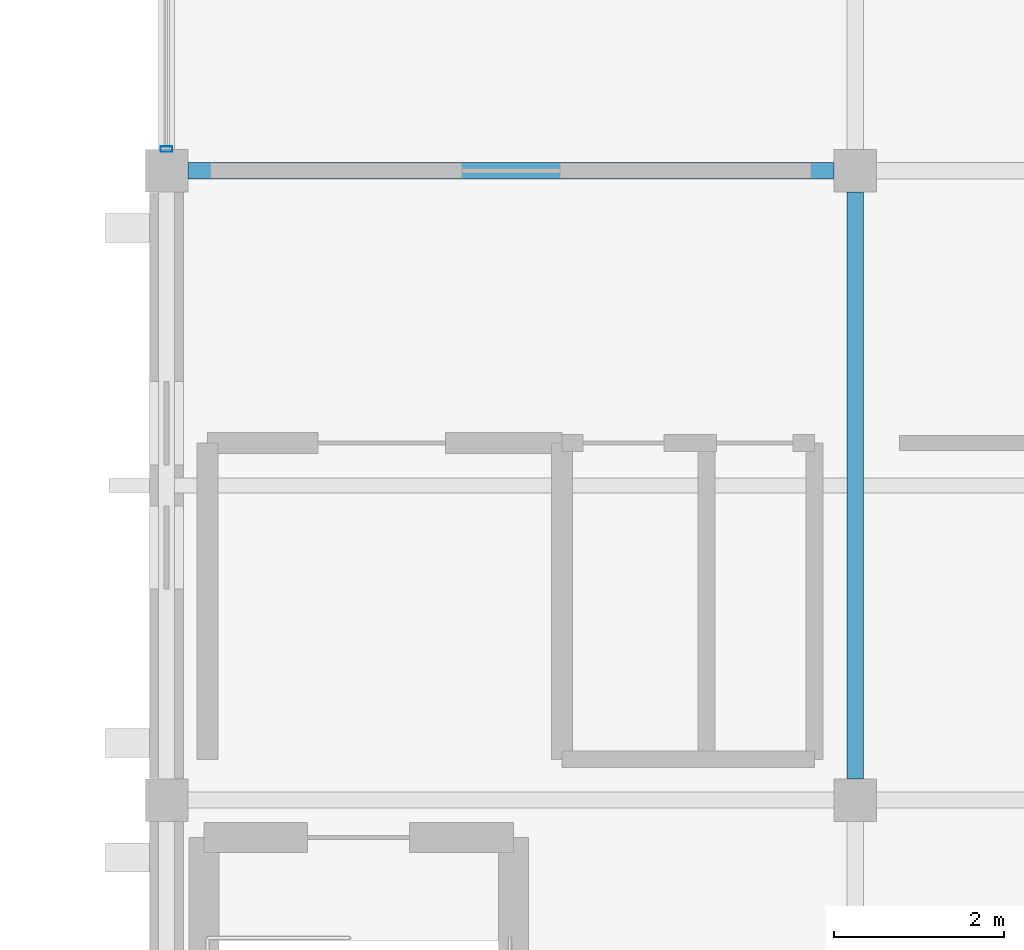
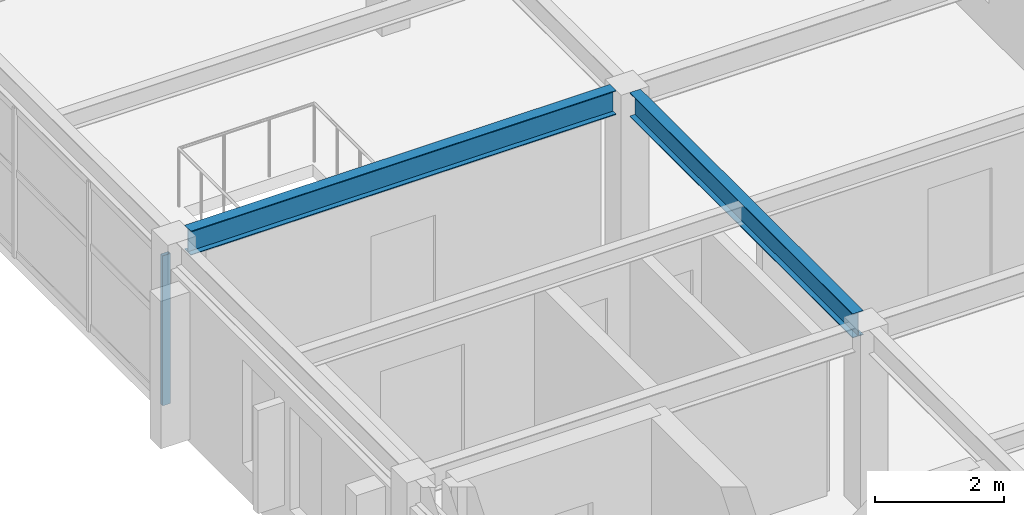
# One storey, part 62 of 93: 2 beams, 1 member, 1 element without a shape of its own.
"""IFC4 building model written with IfcOpenShell, lengths in metres."""

from ifc_helpers import new_model, si_unit, direction, frame, origin, origin_2d, place, context, subcontext, project, spatial, hollow_rectangle, i_section, extrude, material, material_profile, profile_set, type_object, element, aggregate, save


model = new_model("IFC4")

# Units and contexts
model_context = context("Model", 3, precision=1e-05, world=origin(), true_north=direction((0.0, 1.0)))
body_context = subcontext(model_context, "Body", "Model", "MODEL_VIEW")
ifc_project = project(units=[si_unit("LENGTHUNIT", "METRE"), si_unit("AREAUNIT", "SQUARE_METRE"), si_unit("VOLUMEUNIT", "CUBIC_METRE"), si_unit("PLANEANGLEUNIT", "RADIAN"), si_unit("MASSUNIT", "GRAM", prefix="KILO")], contexts=[model_context])

# Site, building, storey
site_placement = place(None, origin())
site = spatial("IfcSite", under=ifc_project, at=site_placement, CompositionType="ELEMENT")
building_placement = place(site_placement, origin())
building = spatial("IfcBuilding", under=site, at=building_placement, Name="Cimatlan Art Gallery", CompositionType="ELEMENT")
storey_placement = place(building_placement, frame((0.0, 0.0, 13.800048828125)))
storey = spatial("IfcBuildingStorey", under=building, at=storey_placement, Name="L03", CompositionType="ELEMENT", Elevation=13.800048828125)

# Beams
ifc_material_1 = material(Name="Steel ASTM A992 Grade 50", Category="steel")
ifc_material_profile_1 = material_profile(ifc_material_1, i_section(OverallWidth=0.19091796875, OverallDepth=0.45703125, WebThickness=0.009033203125, FlangeThickness=0.014404296875, at=origin_2d()), Name="W18X50")
ifc_profile_set_1 = profile_set([ifc_material_profile_1], Name="Steel ASTM A992 Grade 50")
beam_type = type_object("IfcBeamType", Name="BM-STL-W18X50", PredefinedType="BEAM", material=ifc_profile_set_1)
beam_1_placement = place(storey_placement, frame((155.89990234375, 31.550048828125, 3.1513671875), z_axis=(0.0, 1.0, 0.0), x_axis=(-1.0, 0.0, 0.0)))
element("IfcBeam", 1, at=beam_1_placement, inside=storey, type_object=beam_type, Name="BM-Y-L03-19-04", PredefinedType="BEAM", context=body_context, shape_type="SweptSolid", body=[
    extrude(i_section(OverallWidth=0.19091796875, OverallDepth=0.45703125, WebThickness=0.009033203125, FlangeThickness=0.014404296875, at=origin_2d()), origin(), (0.0, 0.0, 1.0), 6.89990234375),
])
beam_2_placement = place(storey_placement, frame((148.050048828125, 38.699951171875, 3.1513671875), z_axis=(1.0, 0.0, 0.0), x_axis=(0.0, 1.0, 0.0)))
element("IfcBeam", 2, at=beam_2_placement, inside=storey, type_object=beam_type, Name="BM-X-L03-18-05", PredefinedType="BEAM", context=body_context, shape_type="SweptSolid", body=[
    extrude(i_section(OverallWidth=0.19091796875, OverallDepth=0.45703125, WebThickness=0.009033203125, FlangeThickness=0.014404296875, at=origin_2d()), origin(), (0.0, 0.0, 1.0), 7.599853515625),
])

# Curtain wall, member
ifc_material_2 = material(Name="Anodised bronze unitised curtain wall")
curtain_wall_type = type_object("IfcCurtainWallType", Name="CW-V-06892X02833-B3", PredefinedType="NOTDEFINED", material=ifc_material_2)
curtain_wall_placement = place(storey_placement, origin())
curtain_wall = element("IfcCurtainWall", 3, at=curtain_wall_placement, inside=storey, type_object=curtain_wall_type, Name="CW-L03-18-05-W", PredefinedType="NOTDEFINED")
ifc_material_3 = material(Name="Anodised bronze aluminium 6063-T6", Category="aluminium")
ifc_material_profile_2 = material_profile(ifc_material_3, hollow_rectangle(XDim=0.06494140625, YDim=0.139892578125, WallThickness=0.00390625, at=origin_2d()), Name="ALU65X140X4")
ifc_profile_set_2 = profile_set([ifc_material_profile_2], Name="Anodised bronze aluminium 6063-T6")
member_type = type_object("IfcMemberType", Name="CW-MUL-140", PredefinedType="MULLION", material=ifc_profile_set_2)
member_placement = place(storey_placement, frame((147.800048828125, 38.9541015625, 0.0), z_axis=(0.0, 0.0, 1.0), x_axis=(0.0, 1.0, 0.0)))
member = element("IfcMember", 4, at=member_placement, type_object=member_type, Name="CW-L03-18-05-W-M1", PredefinedType="MULLION", context=body_context, shape_type="SweptSolid", body=[
    extrude(hollow_rectangle(XDim=0.06494140625, YDim=0.139892578125, WallThickness=0.00390625, at=origin_2d()), origin(), (0.0, 0.0, 1.0), 2.8330078125),
])
aggregate(curtain_wall, [member])

save(model, "model.ifc")
